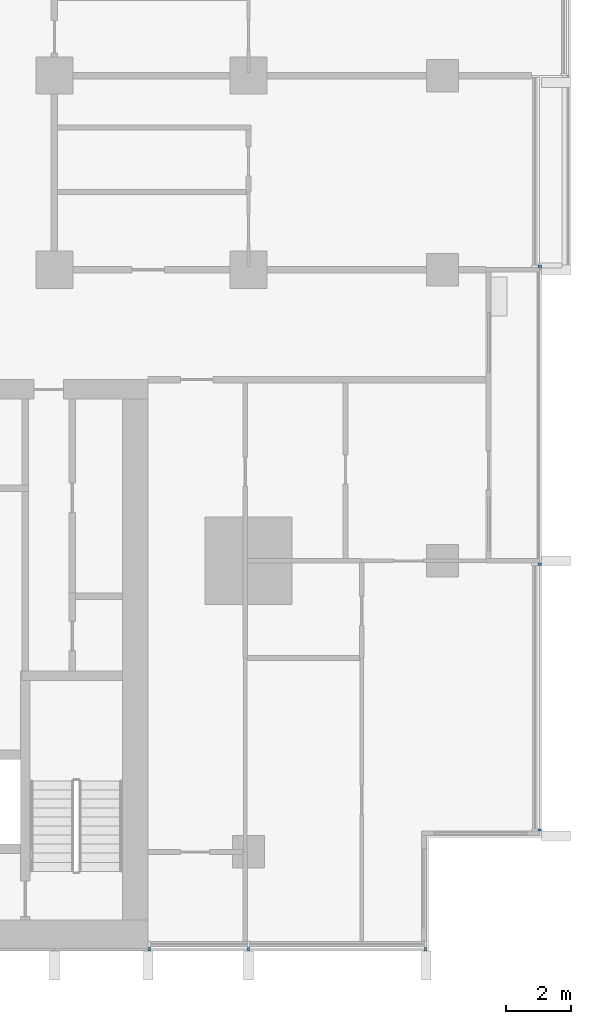
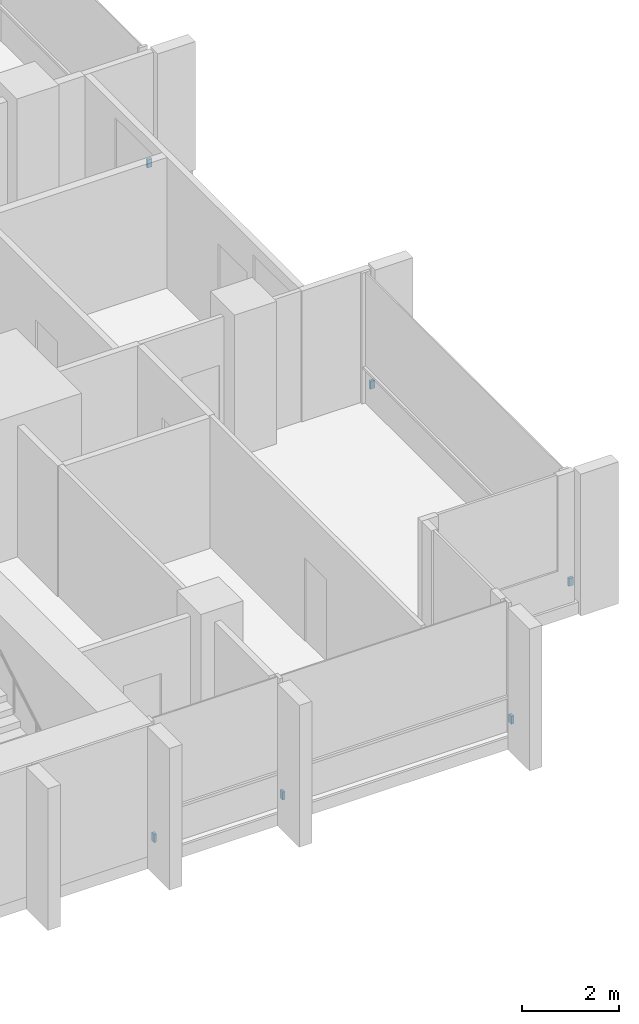
# One storey, part 14 of 17: 6 discrete accessories.
"""IFC4 building model written with IfcOpenShell, lengths in metres."""

from ifc_helpers import new_model, si_unit, direction, frame, origin, origin_2d, place, context, subcontext, project, spatial, rectangle, extrude, material, type_object, element, save


model = new_model("IFC4")

# Units and contexts
model_context = context("Model", 3, precision=1e-05, world=origin(), true_north=direction((0.0, 1.0)))
body_context = subcontext(model_context, "Body", "Model", "MODEL_VIEW")
ifc_project = project(units=[si_unit("LENGTHUNIT", "METRE"), si_unit("AREAUNIT", "SQUARE_METRE"), si_unit("VOLUMEUNIT", "CUBIC_METRE"), si_unit("PLANEANGLEUNIT", "RADIAN"), si_unit("MASSUNIT", "GRAM", prefix="KILO")], contexts=[model_context])

# Site, building, storey
site_placement = place(None, origin())
site = spatial("IfcSite", under=ifc_project, at=site_placement, CompositionType="ELEMENT")
building_placement = place(site_placement, origin())
building = spatial("IfcBuilding", under=site, at=building_placement, Name="Finial Court Residences", CompositionType="ELEMENT")
storey_placement = place(building_placement, frame((0.0, 0.0, 117.10009765625)))
storey = spatial("IfcBuildingStorey", under=building, at=storey_placement, Name="L29", CompositionType="ELEMENT", Elevation=117.10009765625)

# Discrete accessories
ifc_material = material(Name="Stainless steel 316", Category="steel")
discrete_accessory_type = type_object("IfcDiscreteAccessoryType", Name="Fin bracket, stainless steel 65 x 110 x 200", PredefinedType="BRACKET", material=ifc_material)
for number, where, z_axis, x_axis, name in (
    (1, (25.5048828125, -21.8173828125, 0.2998046875), (0.0, 0.0, 1.0), (1.0, 0.0, 0.0), "E-L29-FIN-E9-BRK"),
    (2, (25.5048828125, -13.607421875, 0.2998046875), (0.0, 0.0, 1.0), (1.0, 0.0, 0.0), "E-L29-FIN-E10-BRK"),
    (3, (25.5048828125, -4.392578125, 0.2998046875), (0.0, 0.0, 1.0), (1.0, 0.0, 0.0), "E-L29-FIN-E11-BRK"),
):
    element("IfcDiscreteAccessory", number, at=place(storey_placement, frame(where, z_axis=z_axis, x_axis=x_axis)), inside=storey, type_object=discrete_accessory_type, Name=name, PredefinedType="BRACKET", context=body_context, shape_type="SweptSolid", body=[
        extrude(rectangle(XDim=0.110107421875, YDim=0.06494140625, at=origin_2d()), origin(), (0.0, 0.0, 1.0), 0.199951171875),
    ])
for number, where, z_axis, x_axis, name in (
    (4, (13.4326171875, -25.5048828125, 0.2998046875), (0.0, 0.0, 1.0), (1.0, 0.0, 0.0), "E-L29-FIN-S23-BRK"),
    (5, (16.5, -25.5048828125, 0.2998046875), (0.0, 0.0, 1.0), (1.0, 0.0, 0.0), "E-L29-FIN-S24-BRK"),
    (6, (21.967529296875, -25.5048828125, 0.2998046875), (0.0, 0.0, 1.0), (1.0, 0.0, 0.0), "E-L29-FIN-S25-BRK"),
):
    element("IfcDiscreteAccessory", number, at=place(storey_placement, frame(where, z_axis=z_axis, x_axis=x_axis)), inside=storey, type_object=discrete_accessory_type, Name=name, PredefinedType="BRACKET", context=body_context, shape_type="SweptSolid", body=[
        extrude(rectangle(XDim=0.06494140625, YDim=0.110107421875, at=origin_2d()), origin(), (0.0, 0.0, 1.0), 0.199951171875),
    ])

save(model, "model.ifc")
